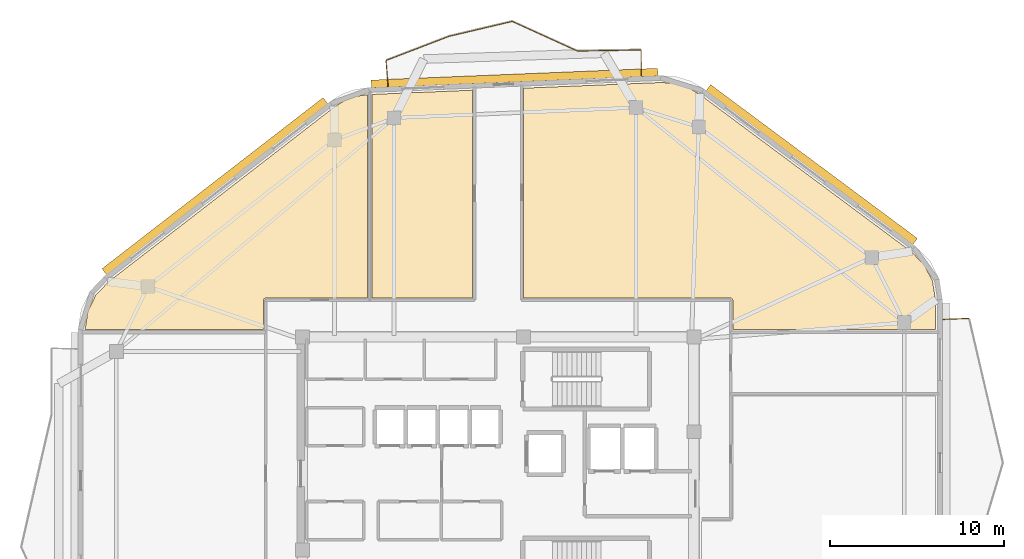
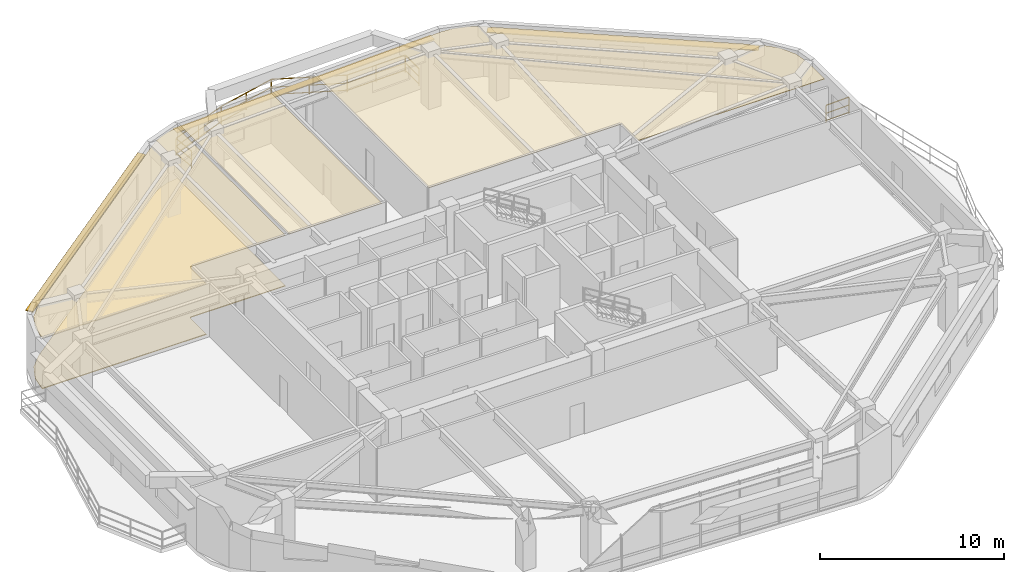
# One storey, part 13 of 13: 7 railings, 4 coverings, 3 shading devices.
"""IFC4 building model written with IfcOpenShell, lengths in metres."""

from ifc_helpers import new_model, si_unit, direction, frame, origin, origin_2d, place, context, subcontext, project, spatial, polyline, rectangle, outline, extrude, material, layer, layer_set, type_object, element, save


model = new_model("IFC4")

# Units and contexts
model_context = context("Model", 3, precision=1e-05, world=origin(), true_north=direction((0.0, 1.0)))
body_context = subcontext(model_context, "Body", "Model", "MODEL_VIEW")
ifc_project = project(units=[si_unit("LENGTHUNIT", "METRE"), si_unit("AREAUNIT", "SQUARE_METRE"), si_unit("VOLUMEUNIT", "CUBIC_METRE"), si_unit("PLANEANGLEUNIT", "RADIAN"), si_unit("MASSUNIT", "GRAM", prefix="KILO")], contexts=[model_context])

# Site, building, storey
site_placement = place(None, origin())
site = spatial("IfcSite", under=ifc_project, at=site_placement, CompositionType="ELEMENT")
building_placement = place(site_placement, origin())
building = spatial("IfcBuilding", under=site, at=building_placement, Name="Zulverin Broadcast Headquarters", CompositionType="ELEMENT")
storey_placement = place(building_placement, frame((0.0, 0.0, 278.199951171875)))
storey = spatial("IfcBuildingStorey", under=building, at=storey_placement, Name="L71", CompositionType="ELEMENT", Elevation=278.199951171875)

# Coverings
ifc_material_1 = material(Name="Perforated pale-metal acoustic baffle ceiling", Category="aluminium")
ifc_layer_1 = layer(ifc_material_1, 0.0400390625, Name="Perforated pale-metal acoustic baffle ceiling", Category="aluminium")
ifc_layer_set_1 = layer_set([ifc_layer_1], Name="Perforated pale-metal acoustic baffle ceiling")
covering_type_1 = type_object("IfcCoveringType", Name="COV-CEIL-ACOU", PredefinedType="CEILING", material=ifc_layer_set_1)
covering_1_placement = place(storey_placement, frame((0.0, 0.0, 3.360107421875)))
element("IfcCovering", 1, at=covering_1_placement, inside=storey, type_object=covering_type_1, Name="L71 Acoustic Baffle Ceiling 01", PredefinedType="CEILING", context=body_context, shape_type="SweptSolid", body=[
    extrude(outline(polyline([(28.16796875, 46.7080078125), (27.555908203125, 46.327880859375), (14.5439453125, 36.256103515625), (13.81201171875, 35.488037109375), (13.360107421875, 34.56396484375), (13.199951171875, 33.52001953125), (13.199951171875, 33.5), (23.47998046875, 33.5), (23.47998046875, 35.199951171875), (23.47998046875, 35.2119140625), (23.48388671875, 35.22412109375), (23.48388671875, 35.236083984375), (23.488037109375, 35.243896484375), (23.49609375, 35.256103515625), (23.5, 35.26806640625), (23.508056640625, 35.27587890625), (23.51611328125, 35.283935546875), (23.52392578125, 35.2919921875), (23.531982421875, 35.300048828125), (23.5439453125, 35.303955078125), (23.555908203125, 35.31201171875), (23.56396484375, 35.31591796875), (23.575927734375, 35.31591796875), (23.587890625, 35.320068359375), (23.60009765625, 35.320068359375), (29.47998046875, 35.320068359375), (29.47998046875, 47.0439453125), (28.823974609375, 46.947998046875), (28.16796875, 46.7080078125)])), origin(), (0.0, 0.0, 1.0), 0.0400390625),
])
covering_2_placement = place(storey_placement, frame((0.0, 0.0, 3.360107421875)))
element("IfcCovering", 2, at=covering_2_placement, inside=storey, type_object=covering_type_1, Name="L71 Acoustic Baffle Ceiling 02", PredefinedType="CEILING", context=body_context, shape_type="SweptSolid", body=[
    extrude(outline(polyline([(35.531982421875, 35.320068359375), (35.531982421875, 47.300048828125), (29.719970703125, 47.055908203125), (29.719970703125, 35.320068359375), (35.531982421875, 35.320068359375)])), origin(), (0.0, 0.0, 1.0), 0.0400390625),
])
covering_3_placement = place(storey_placement, frame((0.0, 0.0, 3.360107421875)))
element("IfcCovering", 3, at=covering_3_placement, inside=storey, type_object=covering_type_1, Name="L71 Acoustic Baffle Ceiling 03", PredefinedType="CEILING", context=body_context, shape_type="SweptSolid", body=[
    extrude(outline(polyline([(46.404052734375, 47.743896484375), (38.471923828125, 47.416015625), (38.471923828125, 35.320068359375), (50.39990234375, 35.320068359375), (50.412109375, 35.320068359375), (50.424072265625, 35.31591796875), (50.43603515625, 35.31591796875), (50.444091796875, 35.31201171875), (50.4560546875, 35.303955078125), (50.468017578125, 35.300048828125), (50.47607421875, 35.2919921875), (50.48388671875, 35.283935546875), (50.491943359375, 35.27587890625), (50.5, 35.26806640625), (50.50390625, 35.256103515625), (50.511962890625, 35.243896484375), (50.51611328125, 35.236083984375), (50.51611328125, 35.22412109375), (50.52001953125, 35.2119140625), (50.52001953125, 35.199951171875), (50.52001953125, 33.5), (62.199951171875, 33.5), (62.199951171875, 35.219970703125), (62.031982421875, 36.2880859375), (61.56005859375, 37.22412109375), (60.803955078125, 37.99609375), (48.60791015625, 47.06396484375), (47.927978515625, 47.4599609375), (47.18798828125, 47.68408203125), (46.404052734375, 47.743896484375)])), origin(), (0.0, 0.0, 1.0), 0.0400390625),
])
ifc_material_2 = material(Name="Anti-static broadcast raised access flooring", Category="stone")
ifc_layer_2 = layer(ifc_material_2, 0.050048828125, Name="Anti-static broadcast raised access flooring", Category="stone")
ifc_layer_set_2 = layer_set([ifc_layer_2], Name="Anti-static broadcast raised access flooring")
covering_type_2 = type_object("IfcCoveringType", Name="COV-FLR-RAISED", PredefinedType="FLOORING", material=ifc_layer_set_2)
covering_4_placement = place(storey_placement, origin())
element("IfcCovering", 4, at=covering_4_placement, inside=storey, type_object=covering_type_2, Name="L71 Broadcast Raised Access Flooring 01", PredefinedType="FLOORING", context=body_context, shape_type="SweptSolid", body=[
    extrude(outline(polyline([(28.16796875, 46.7080078125), (27.555908203125, 46.327880859375), (14.5439453125, 36.256103515625), (13.81201171875, 35.488037109375), (13.360107421875, 34.56396484375), (13.199951171875, 33.52001953125), (13.199951171875, 33.5), (23.47998046875, 33.5), (23.47998046875, 35.199951171875), (23.47998046875, 35.2119140625), (23.48388671875, 35.22412109375), (23.48388671875, 35.236083984375), (23.488037109375, 35.243896484375), (23.49609375, 35.256103515625), (23.5, 35.26806640625), (23.508056640625, 35.27587890625), (23.51611328125, 35.283935546875), (23.52392578125, 35.2919921875), (23.531982421875, 35.300048828125), (23.5439453125, 35.303955078125), (23.555908203125, 35.31201171875), (23.56396484375, 35.31591796875), (23.575927734375, 35.31591796875), (23.587890625, 35.320068359375), (23.60009765625, 35.320068359375), (29.47998046875, 35.320068359375), (29.47998046875, 47.0439453125), (28.823974609375, 46.947998046875), (28.16796875, 46.7080078125)])), origin(), (0.0, 0.0, 1.0), 0.050048828125),
])

# Railings
ifc_material_3 = material(Name="Brushed stainless steel & laminated glass balustrade", Category="steel")
railing_type = type_object("IfcRailingType", Name="RL-GUARD-1150", PredefinedType="GUARDRAIL", material=ifc_material_3)
railing_1_placement = place(storey_placement, frame((64.10498046875, 34.1494140625, 0.0)))
element("IfcRailing", 5, at=railing_1_placement, inside=storey, type_object=railing_type, Name="L71 Vertical-Forest Balcony Guardrail BAL_E Segment 05", PredefinedType="GUARDRAIL", context=body_context, shape_type="SweptSolid", body=[
    extrude(rectangle(XDim=0.048095703125, YDim=0.048095703125, at=origin_2d()), frame((0.0, 0.0, 1.1259765625), z_axis=(-0.999181155166, -0.040460093435, 0.0), x_axis=(0.040460093435, -0.999181155166, 0.0)), (0.0, 0.0, 1.0), 1.46630859375),
    extrude(rectangle(XDim=0.0419921875, YDim=0.0419921875, at=origin_2d()), frame((0.0, 0.0, 0.597900390625), z_axis=(-0.999181155166, -0.040460093435, 0.0), x_axis=(0.040460093435, -0.999181155166, 0.0)), (0.0, 0.0, 1.0), 1.46630859375),
    extrude(rectangle(XDim=0.0419921875, YDim=0.0419921875, at=origin_2d()), frame((0.0, 0.0, 0.1201171875), z_axis=(-0.999181155166, -0.040460093435, 0.0), x_axis=(0.040460093435, -0.999181155166, 0.0)), (0.0, 0.0, 1.0), 1.46630859375),
    extrude(rectangle(XDim=0.0419921875, YDim=0.0419921875, at=origin_2d()), origin(), (0.0, 0.0, 1.0), 1.101806640625),
    extrude(rectangle(XDim=0.0419921875, YDim=0.0419921875, at=origin_2d()), frame((-1.465087890625, -0.059326171875, 0.0)), (0.0, 0.0, 1.0), 1.101806640625),
])
railing_2_placement = place(storey_placement, frame((45.247314453125, 48.13720703125, 0.0)))
element("IfcRailing", 6, at=railing_2_placement, inside=storey, type_object=railing_type, Name="L71 Vertical-Forest Balcony Guardrail BAL_N Segment 01", PredefinedType="GUARDRAIL", context=body_context, shape_type="SweptSolid", body=[
    extrude(rectangle(XDim=0.048095703125, YDim=0.048095703125, at=origin_2d()), frame((0.0, 0.0, 1.1259765625), z_axis=(-0.000499500437, 0.99999987525, 0.0), x_axis=(-0.99999987525, -0.000499500437, 0.0)), (0.0, 0.0, 1.0), 1.46630859375),
    extrude(rectangle(XDim=0.0419921875, YDim=0.0419921875, at=origin_2d()), frame((0.0, 0.0, 0.597900390625), z_axis=(-0.000499500437, 0.99999987525, 0.0), x_axis=(-0.99999987525, -0.000499500437, 0.0)), (0.0, 0.0, 1.0), 1.46630859375),
    extrude(rectangle(XDim=0.0419921875, YDim=0.0419921875, at=origin_2d()), frame((0.0, 0.0, 0.1201171875), z_axis=(-0.000499500437, 0.99999987525, 0.0), x_axis=(-0.99999987525, -0.000499500437, 0.0)), (0.0, 0.0, 1.0), 1.46630859375),
    extrude(rectangle(XDim=0.0419921875, YDim=0.0419921875, at=origin_2d()), origin(), (0.0, 0.0, 1.0), 1.101806640625),
    extrude(rectangle(XDim=0.0419921875, YDim=0.0419921875, at=origin_2d()), frame((-0.000732421875, 1.46630859375, 0.0)), (0.0, 0.0, 1.0), 1.101806640625),
])
railing_3_placement = place(storey_placement, frame((45.2314453125, 49.6181640625, 0.0)))
element("IfcRailing", 7, at=railing_3_placement, inside=storey, type_object=railing_type, Name="L71 Vertical-Forest Balcony Guardrail BAL_N Segment 02", PredefinedType="GUARDRAIL", context=body_context, shape_type="SweptSolid", body=[
    extrude(rectangle(XDim=0.048095703125, YDim=0.048095703125, at=origin_2d()), frame((0.0, 0.0, 1.1259765625), z_axis=(-0.999859202545, -0.01678019924, 0.0), x_axis=(0.01678019924, -0.999859202545, 0.0)), (0.0, 0.0, 1.0), 3.65185546875),
    extrude(rectangle(XDim=0.0419921875, YDim=0.0419921875, at=origin_2d()), frame((0.0, 0.0, 0.597900390625), z_axis=(-0.999859202545, -0.01678019924, 0.0), x_axis=(0.01678019924, -0.999859202545, 0.0)), (0.0, 0.0, 1.0), 3.65185546875),
    extrude(rectangle(XDim=0.0419921875, YDim=0.0419921875, at=origin_2d()), frame((0.0, 0.0, 0.1201171875), z_axis=(-0.999859202545, -0.01678019924, 0.0), x_axis=(0.01678019924, -0.999859202545, 0.0)), (0.0, 0.0, 1.0), 3.65185546875),
    extrude(rectangle(XDim=0.0419921875, YDim=0.0419921875, at=origin_2d()), origin(), (0.0, 0.0, 1.0), 1.101806640625),
    extrude(rectangle(XDim=0.0419921875, YDim=0.0419921875, at=origin_2d()), frame((-1.82568359375, -0.03076171875, 0.0)), (0.0, 0.0, 1.0), 1.101806640625),
    extrude(rectangle(XDim=0.0419921875, YDim=0.0419921875, at=origin_2d()), frame((-3.6513671875, -0.061279296875, 0.0)), (0.0, 0.0, 1.0), 1.101806640625),
])
railing_4_placement = place(storey_placement, frame((41.551513671875, 49.562744140625, 0.0)))
element("IfcRailing", 8, at=railing_4_placement, inside=storey, type_object=railing_type, Name="L71 Vertical-Forest Balcony Guardrail BAL_N Segment 03", PredefinedType="GUARDRAIL", context=body_context, shape_type="SweptSolid", body=[
    extrude(rectangle(XDim=0.048095703125, YDim=0.048095703125, at=origin_2d()), frame((0.0, 0.0, 1.1259765625), z_axis=(-0.910223478987, 0.414117396762, 0.0), x_axis=(-0.414117396762, -0.910223478987, 0.0)), (0.0, 0.0, 1.0), 4.094482421875),
    extrude(rectangle(XDim=0.0419921875, YDim=0.0419921875, at=origin_2d()), frame((0.0, 0.0, 0.597900390625), z_axis=(-0.910223478987, 0.414117396762, 0.0), x_axis=(-0.414117396762, -0.910223478987, 0.0)), (0.0, 0.0, 1.0), 4.094482421875),
    extrude(rectangle(XDim=0.0419921875, YDim=0.0419921875, at=origin_2d()), frame((0.0, 0.0, 0.1201171875), z_axis=(-0.910223478987, 0.414117396762, 0.0), x_axis=(-0.414117396762, -0.910223478987, 0.0)), (0.0, 0.0, 1.0), 4.094482421875),
    extrude(rectangle(XDim=0.0419921875, YDim=0.0419921875, at=origin_2d()), origin(), (0.0, 0.0, 1.0), 1.101806640625),
    extrude(rectangle(XDim=0.0419921875, YDim=0.0419921875, at=origin_2d()), frame((-1.86328125, 0.84765625, 0.0)), (0.0, 0.0, 1.0), 1.101806640625),
    extrude(rectangle(XDim=0.0419921875, YDim=0.0419921875, at=origin_2d()), frame((-3.726806640625, 1.695556640625, 0.0)), (0.0, 0.0, 1.0), 1.101806640625),
])
railing_5_placement = place(storey_placement, frame((37.79638671875, 51.260986328125, 0.0)))
element("IfcRailing", 9, at=railing_5_placement, inside=storey, type_object=railing_type, Name="L71 Vertical-Forest Balcony Guardrail BAL_N Segment 04", PredefinedType="GUARDRAIL", context=body_context, shape_type="SweptSolid", body=[
    extrude(rectangle(XDim=0.048095703125, YDim=0.048095703125, at=origin_2d()), frame((0.0, 0.0, 1.1259765625), z_axis=(-0.97319716994, -0.229972320986, 0.0), x_axis=(0.229972320986, -0.97319716994, 0.0)), (0.0, 0.0, 1.0), 3.71875),
    extrude(rectangle(XDim=0.0419921875, YDim=0.0419921875, at=origin_2d()), frame((0.0, 0.0, 0.597900390625), z_axis=(-0.97319716994, -0.229972320986, 0.0), x_axis=(0.229972320986, -0.97319716994, 0.0)), (0.0, 0.0, 1.0), 3.71875),
    extrude(rectangle(XDim=0.0419921875, YDim=0.0419921875, at=origin_2d()), frame((0.0, 0.0, 0.1201171875), z_axis=(-0.97319716994, -0.229972320986, 0.0), x_axis=(0.229972320986, -0.97319716994, 0.0)), (0.0, 0.0, 1.0), 3.71875),
    extrude(rectangle(XDim=0.0419921875, YDim=0.0419921875, at=origin_2d()), origin(), (0.0, 0.0, 1.0), 1.101806640625),
    extrude(rectangle(XDim=0.0419921875, YDim=0.0419921875, at=origin_2d()), frame((-1.8095703125, -0.427734375, 0.0)), (0.0, 0.0, 1.0), 1.101806640625),
    extrude(rectangle(XDim=0.0419921875, YDim=0.0419921875, at=origin_2d()), frame((-3.619140625, -0.855224609375, 0.0)), (0.0, 0.0, 1.0), 1.101806640625),
])
railing_6_placement = place(storey_placement, frame((34.148681640625, 50.39697265625, 0.0)))
element("IfcRailing", 10, at=railing_6_placement, inside=storey, type_object=railing_type, Name="L71 Vertical-Forest Balcony Guardrail BAL_N Segment 05", PredefinedType="GUARDRAIL", context=body_context, shape_type="SweptSolid", body=[
    extrude(rectangle(XDim=0.048095703125, YDim=0.048095703125, at=origin_2d()), frame((0.0, 0.0, 1.1259765625), z_axis=(-0.933888262056, -0.357564978702, 0.0), x_axis=(0.357564978702, -0.933888262056, 0.0)), (0.0, 0.0, 1.0), 3.853759765625),
    extrude(rectangle(XDim=0.0419921875, YDim=0.0419921875, at=origin_2d()), frame((0.0, 0.0, 0.597900390625), z_axis=(-0.933888262056, -0.357564978702, 0.0), x_axis=(0.357564978702, -0.933888262056, 0.0)), (0.0, 0.0, 1.0), 3.853759765625),
    extrude(rectangle(XDim=0.0419921875, YDim=0.0419921875, at=origin_2d()), frame((0.0, 0.0, 0.1201171875), z_axis=(-0.933888262056, -0.357564978702, 0.0), x_axis=(0.357564978702, -0.933888262056, 0.0)), (0.0, 0.0, 1.0), 3.853759765625),
    extrude(rectangle(XDim=0.0419921875, YDim=0.0419921875, at=origin_2d()), origin(), (0.0, 0.0, 1.0), 1.101806640625),
    extrude(rectangle(XDim=0.0419921875, YDim=0.0419921875, at=origin_2d()), frame((-1.79931640625, -0.68896484375, 0.0)), (0.0, 0.0, 1.0), 1.101806640625),
    extrude(rectangle(XDim=0.0419921875, YDim=0.0419921875, at=origin_2d()), frame((-3.598876953125, -1.3779296875, 0.0)), (0.0, 0.0, 1.0), 1.101806640625),
])
railing_7_placement = place(storey_placement, frame((30.537109375, 48.998779296875, 0.0)))
element("IfcRailing", 11, at=railing_7_placement, inside=storey, type_object=railing_type, Name="L71 Vertical-Forest Balcony Guardrail BAL_N Segment 06", PredefinedType="GUARDRAIL", context=body_context, shape_type="SweptSolid", body=[
    extrude(rectangle(XDim=0.048095703125, YDim=0.048095703125, at=origin_2d()), frame((0.0, 0.0, 1.1259765625), z_axis=(0.081419392862, -0.9966799298, 0.0), x_axis=(0.9966799298, 0.081419392862, 0.0)), (0.0, 0.0, 1.0), 1.46630859375),
    extrude(rectangle(XDim=0.0419921875, YDim=0.0419921875, at=origin_2d()), frame((0.0, 0.0, 0.597900390625), z_axis=(0.081419392862, -0.9966799298, 0.0), x_axis=(0.9966799298, 0.081419392862, 0.0)), (0.0, 0.0, 1.0), 1.46630859375),
    extrude(rectangle(XDim=0.0419921875, YDim=0.0419921875, at=origin_2d()), frame((0.0, 0.0, 0.1201171875), z_axis=(0.081419392862, -0.9966799298, 0.0), x_axis=(0.9966799298, 0.081419392862, 0.0)), (0.0, 0.0, 1.0), 1.46630859375),
    extrude(rectangle(XDim=0.0419921875, YDim=0.0419921875, at=origin_2d()), origin(), (0.0, 0.0, 1.0), 1.101806640625),
    extrude(rectangle(XDim=0.0419921875, YDim=0.0419921875, at=origin_2d()), frame((0.119384765625, -1.46142578125, 0.0)), (0.0, 0.0, 1.0), 1.101806640625),
])

# Shading devices
ifc_material_4 = material(Name="Anodized pale-metal aluminium sunshade", Category="aluminium")
ifc_layer_3 = layer(ifc_material_4, 0.06005859375, Name="Anodized pale-metal aluminium sunshade", Category="aluminium")
ifc_layer_set_3 = layer_set([ifc_layer_3], Name="Anodized pale-metal aluminium sunshade")
shading_device_type = type_object("IfcShadingDeviceType", Name="SS-01_PALE_METAL_ALUMINIUM_SUNSHADE", PredefinedType="USERDEFINED", material=ifc_layer_set_3)
shading_device_1_placement = place(storey_placement, frame((55.068603515625, 43.009033203125, 2.7099609375), z_axis=(0.0, 0.0, 1.0), x_axis=(-0.802486437986, 0.596670358614, 0.0)))
element("IfcShadingDevice", 12, at=shading_device_1_placement, inside=storey, type_object=shading_device_type, Name="L71 Horizontal Pale-Metal Sunshade Band 4", ObjectType="SUNSHADE", PredefinedType="USERDEFINED", context=body_context, shape_type="SweptSolid", body=[
    extrude(rectangle(XDim=14.84765625, YDim=0.449951171875, at=origin_2d()), origin(), (0.0, 0.0, 1.0), 0.06005859375),
])
shading_device_2_placement = place(storey_placement, frame((37.9453125, 47.9970703125, 2.7099609375), z_axis=(0.0, 0.0, 1.0), x_axis=(-0.999156343069, -0.041068261531, 0.0)))
element("IfcShadingDevice", 13, at=shading_device_2_placement, inside=storey, type_object=shading_device_type, Name="L71 Horizontal Pale-Metal Sunshade Band 5", ObjectType="SUNSHADE", PredefinedType="USERDEFINED", context=body_context, shape_type="SweptSolid", body=[
    extrude(rectangle(XDim=16.523193359375, YDim=0.449951171875, at=origin_2d()), origin(), (0.0, 0.0, 1.0), 0.06005859375),
])
shading_device_3_placement = place(storey_placement, frame((20.67919921875, 41.763671875, 2.7099609375), z_axis=(0.0, 0.0, 1.0), x_axis=(-0.790792140634, -0.612084790132, 0.0)))
element("IfcShadingDevice", 14, at=shading_device_3_placement, inside=storey, type_object=shading_device_type, Name="L71 Horizontal Pale-Metal Sunshade Band 6", ObjectType="SUNSHADE", PredefinedType="USERDEFINED", context=body_context, shape_type="SweptSolid", body=[
    extrude(rectangle(XDim=16.109130859375, YDim=0.449951171875, at=origin_2d()), origin(), (0.0, 0.0, 1.0), 0.06005859375),
])

save(model, "model.ifc")
